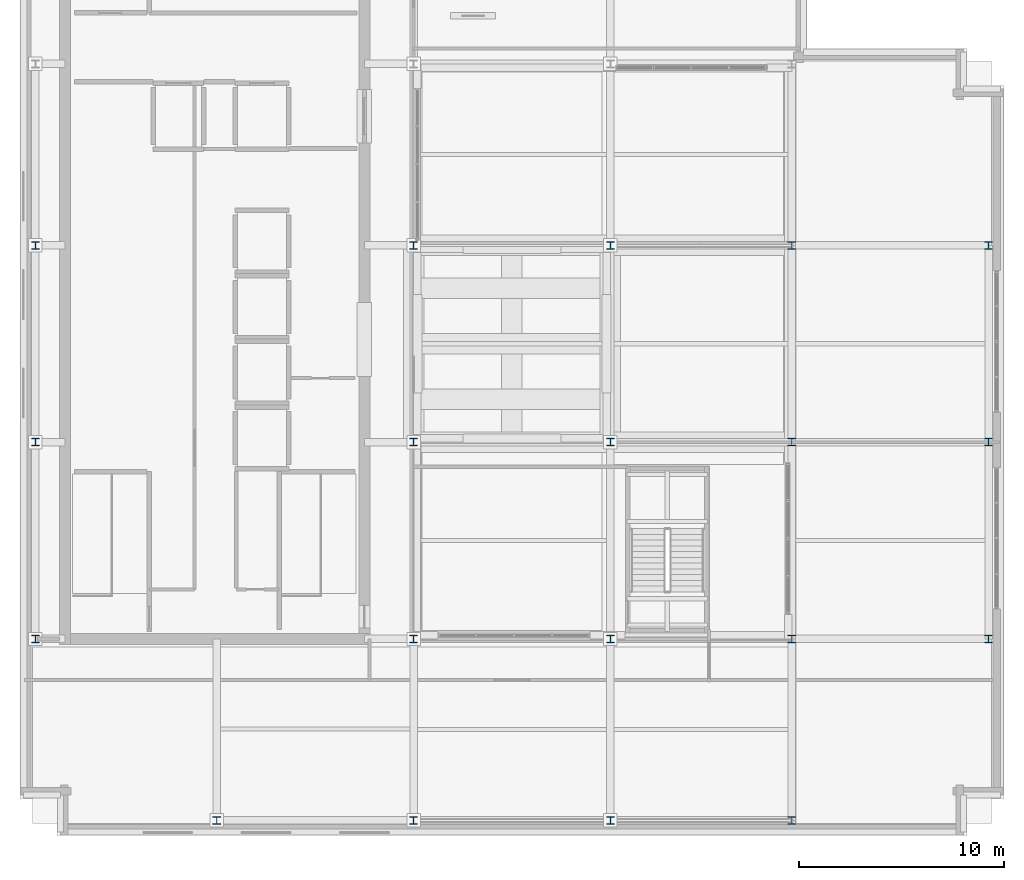
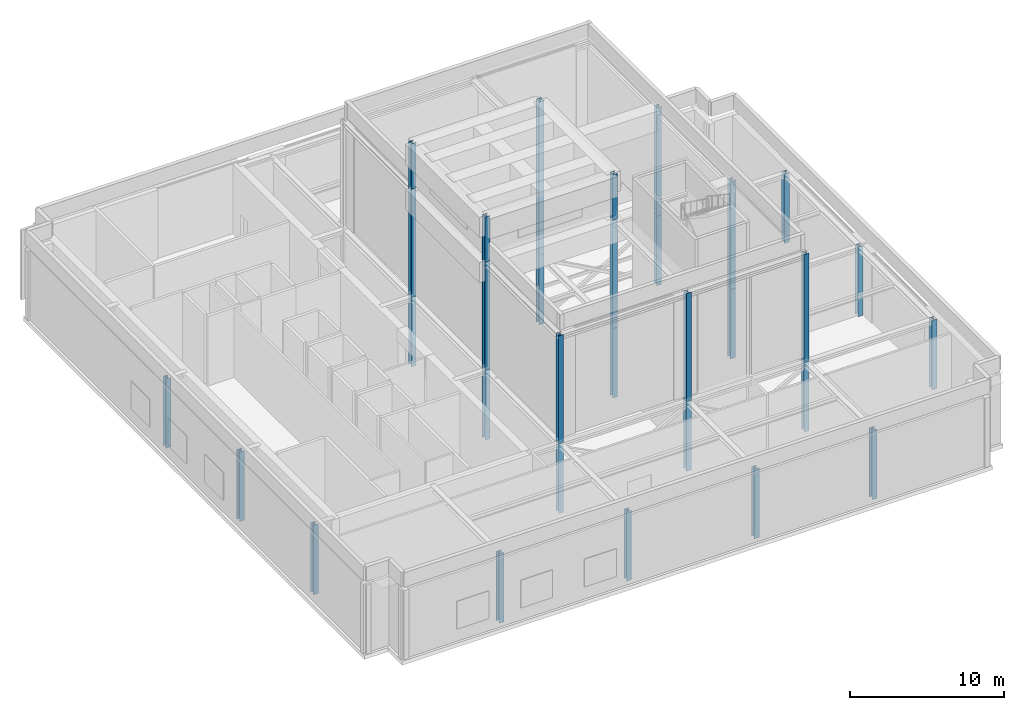
# One storey, part 1 of 17: 32 columns.
"""IFC4 building model written with IfcOpenShell, lengths in metres."""

from ifc_helpers import new_model, si_unit, direction, frame, origin, origin_2d, place, context, subcontext, project, spatial, i_section, extrude, material, material_profile, profile_set, type_object, element, save


model = new_model("IFC4")

# Units and contexts
model_context = context("Model", 3, precision=1e-05, world=origin(), true_north=direction((0.0, 1.0)))
body_context = subcontext(model_context, "Body", "Model", "MODEL_VIEW")
ifc_project = project(units=[si_unit("LENGTHUNIT", "METRE"), si_unit("AREAUNIT", "SQUARE_METRE"), si_unit("VOLUMEUNIT", "CUBIC_METRE"), si_unit("PLANEANGLEUNIT", "RADIAN"), si_unit("MASSUNIT", "GRAM", prefix="KILO")], contexts=[model_context])

# Site, building, storey
site_placement = place(None, origin())
site = spatial("IfcSite", under=ifc_project, at=site_placement, CompositionType="ELEMENT")
building_placement = place(site_placement, origin())
building = spatial("IfcBuilding", under=site, at=building_placement, Name="Norrvale University Quadrangle", CompositionType="ELEMENT")
storey_placement = place(building_placement, frame((0.0, 0.0, 308.0)))
storey = spatial("IfcBuildingStorey", under=building, at=storey_placement, Name="L78", CompositionType="ELEMENT", Elevation=308.0)

# Columns
ifc_material = material(Name="Steel 350W", Category="steel")
ifc_material_profile = material_profile(ifc_material, i_section(OverallWidth=0.3740234375, OverallDepth=0.3720703125, WebThickness=0.016357421875, FlangeThickness=0.026123046875, FilletRadius=0.014892578125, at=origin_2d()), Name="Steel 350W")
ifc_profile_set = profile_set([ifc_material_profile], Name="Steel 350W")
column_type = type_object("IfcColumnType", Name="Column Crown W360x196", PredefinedType="COLUMN", material=ifc_profile_set)
for number, where, z_axis, x_axis, name in (
    (1, (0.75, 9.60009765625, 0.0), (0.0, 0.0, 1.0), (1.0, 0.0, 0.0), "Tower Column L78-T01"),
    (2, (0.75, 19.199951171875, 0.0), (0.0, 0.0, 1.0), (1.0, 0.0, 0.0), "Tower Column L78-T02"),
    (3, (0.75, 28.800048828125, 0.0), (0.0, 0.0, 1.0), (1.0, 0.0, 0.0), "Tower Column L78-T03"),
    (4, (9.60009765625, 0.75, 0.0), (0.0, 0.0, 1.0), (1.0, 0.0, 0.0), "Tower Column L78-T05"),
    (5, (19.199951171875, 0.75, 0.0), (0.0, 0.0, 1.0), (1.0, 0.0, 0.0), "Tower Column L78-T06"),
    (6, (19.199951171875, 9.60009765625, 0.0), (0.0, 0.0, 1.0), (1.0, 0.0, 0.0), "Tower Column L78-T07"),
    (7, (19.199951171875, 19.199951171875, 0.0), (0.0, 0.0, 1.0), (1.0, 0.0, 0.0), "Tower Column L78-T08"),
    (8, (19.199951171875, 28.800048828125, 0.0), (0.0, 0.0, 1.0), (1.0, 0.0, 0.0), "Tower Column L78-T09"),
    (9, (28.800048828125, 0.75, 0.0), (0.0, 0.0, 1.0), (1.0, 0.0, 0.0), "Tower Column L78-T12"),
    (10, (28.800048828125, 9.60009765625, 0.0), (0.0, 0.0, 1.0), (1.0, 0.0, 0.0), "Tower Column L78-T13"),
    (11, (28.800048828125, 19.199951171875, 0.0), (0.0, 0.0, 1.0), (1.0, 0.0, 0.0), "Tower Column L78-T14"),
    (12, (28.800048828125, 28.800048828125, 0.0), (0.0, 0.0, 1.0), (1.0, 0.0, 0.0), "Tower Column L78-T15"),
    (13, (37.64990234375, 0.75, 0.0), (0.0, 0.0, 1.0), (1.0, 0.0, 0.0), "Tower Column L78-T18"),
    (14, (37.64990234375, 9.60009765625, 0.0), (0.0, 0.0, 1.0), (1.0, 0.0, 0.0), "Tower Column L78-T19"),
    (15, (37.64990234375, 19.199951171875, 0.0), (0.0, 0.0, 1.0), (1.0, 0.0, 0.0), "Tower Column L78-T20"),
    (16, (37.64990234375, 28.800048828125, 0.0), (0.0, 0.0, 1.0), (1.0, 0.0, 0.0), "Tower Column L78-T21"),
    (17, (47.25, 9.60009765625, 0.0), (0.0, 0.0, 1.0), (1.0, 0.0, 0.0), "Tower Column L78-T23"),
    (18, (47.25, 19.199951171875, 0.0), (0.0, 0.0, 1.0), (1.0, 0.0, 0.0), "Tower Column L78-T24"),
    (19, (47.25, 28.800048828125, 0.0), (0.0, 0.0, 1.0), (1.0, 0.0, 0.0), "Tower Column L78-T25"),
):
    element("IfcColumn", number, at=place(storey_placement, frame(where, z_axis=z_axis, x_axis=x_axis)), inside=storey, type_object=column_type, Name=name, PredefinedType="COLUMN", context=body_context, shape_type="SweptSolid", body=[
        extrude(i_section(OverallWidth=0.3740234375, OverallDepth=0.3720703125, WebThickness=0.016357421875, FlangeThickness=0.026123046875, FilletRadius=0.014892578125, at=origin_2d()), origin(), (0.0, 0.0, 1.0), 5.52001953125),
    ])
for number, where, z_axis, x_axis, name in (
    (20, (19.199951171875, 9.60009765625, 5.52001953125), (0.0, 0.0, 1.0), (1.0, 0.0, 0.0), "Crown Lantern Frame Column 01"),
    (21, (19.199951171875, 19.199951171875, 5.52001953125), (0.0, 0.0, 1.0), (1.0, 0.0, 0.0), "Crown Lantern Frame Column 02"),
    (22, (19.199951171875, 28.800048828125, 5.52001953125), (0.0, 0.0, 1.0), (1.0, 0.0, 0.0), "Crown Lantern Frame Column 03"),
    (23, (28.800048828125, 9.60009765625, 5.52001953125), (0.0, 0.0, 1.0), (1.0, 0.0, 0.0), "Crown Lantern Frame Column 05"),
    (24, (28.800048828125, 19.199951171875, 5.52001953125), (0.0, 0.0, 1.0), (1.0, 0.0, 0.0), "Crown Lantern Frame Column 06"),
    (25, (28.800048828125, 28.800048828125, 5.52001953125), (0.0, 0.0, 1.0), (1.0, 0.0, 0.0), "Crown Lantern Frame Column 07"),
    (26, (37.64990234375, 9.60009765625, 5.52001953125), (0.0, 0.0, 1.0), (1.0, 0.0, 0.0), "Crown Lantern Frame Column 09"),
    (27, (37.64990234375, 19.199951171875, 5.52001953125), (0.0, 0.0, 1.0), (1.0, 0.0, 0.0), "Crown Lantern Frame Column 10"),
    (28, (37.64990234375, 28.800048828125, 5.52001953125), (0.0, 0.0, 1.0), (1.0, 0.0, 0.0), "Crown Lantern Frame Column 11"),
):
    element("IfcColumn", number, at=place(storey_placement, frame(where, z_axis=z_axis, x_axis=x_axis)), inside=storey, type_object=column_type, Name=name, PredefinedType="COLUMN", context=body_context, shape_type="SweptSolid", body=[
        extrude(i_section(OverallWidth=0.3740234375, OverallDepth=0.3720703125, WebThickness=0.016357421875, FlangeThickness=0.026123046875, FilletRadius=0.014892578125, at=origin_2d()), origin(), (0.0, 0.0, 1.0), 8.60009765625),
    ])
for number, where, z_axis, x_axis, name in (
    (29, (19.199951171875, 19.199951171875, 14.1201171875), (0.0, 0.0, 1.0), (1.0, 0.0, 0.0), "Crown Plinth Corner Column 1"),
    (30, (28.800048828125, 19.199951171875, 14.1201171875), (0.0, 0.0, 1.0), (1.0, 0.0, 0.0), "Crown Plinth Corner Column 2"),
    (31, (28.800048828125, 28.800048828125, 14.1201171875), (0.0, 0.0, 1.0), (1.0, 0.0, 0.0), "Crown Plinth Corner Column 3"),
    (32, (19.199951171875, 28.800048828125, 14.1201171875), (0.0, 0.0, 1.0), (1.0, 0.0, 0.0), "Crown Plinth Corner Column 4"),
):
    element("IfcColumn", number, at=place(storey_placement, frame(where, z_axis=z_axis, x_axis=x_axis)), inside=storey, type_object=column_type, Name=name, PredefinedType="COLUMN", context=body_context, shape_type="SweptSolid", body=[
        extrude(i_section(OverallWidth=0.3740234375, OverallDepth=0.3720703125, WebThickness=0.016357421875, FlangeThickness=0.026123046875, FilletRadius=0.014892578125, at=origin_2d()), origin(), (0.0, 0.0, 1.0), 3.599853515625),
    ])

save(model, "model.ifc")
